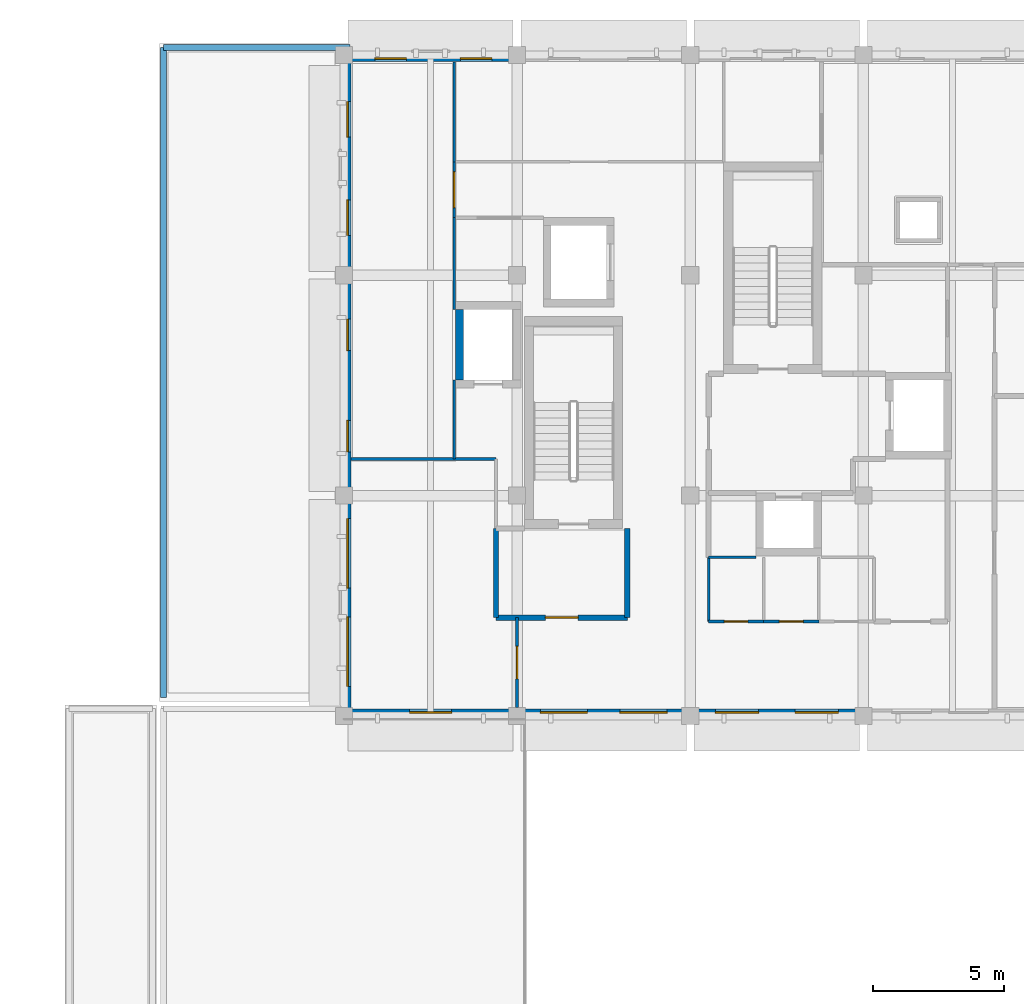
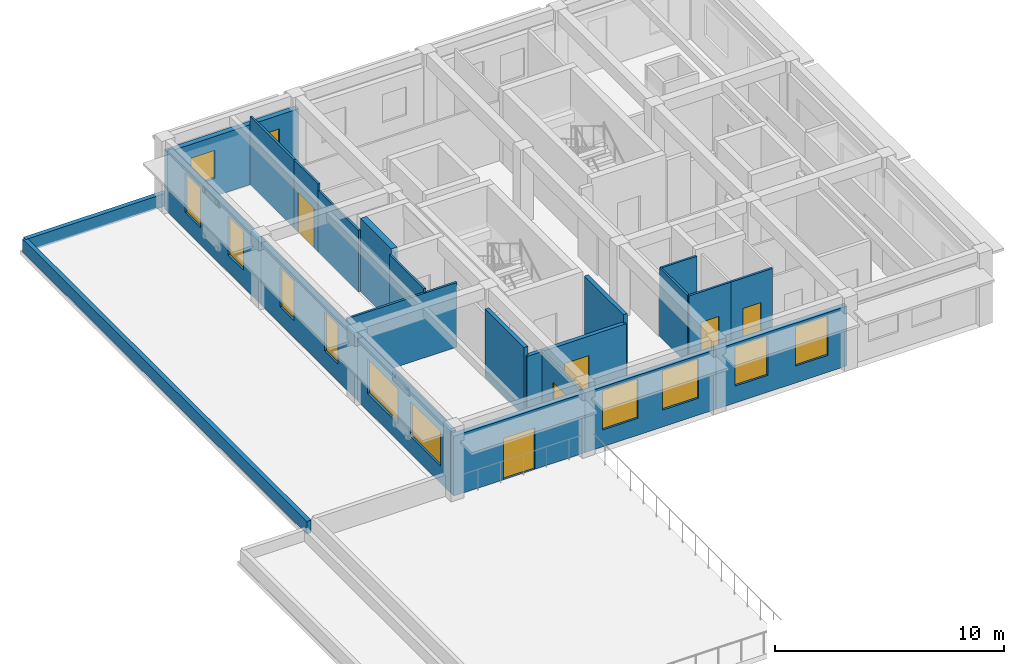
# One storey, part 2 of 7: 23 walls, 12 windows, 6 doors, 18 openings.
"""IFC4 building model written with IfcOpenShell, lengths in metres."""

import ifcopenshell
import ifcopenshell.guid

model = None  # the IFC model being written
_history = None  # IfcOwnerHistory: only IFC2X3 demands one
_inside = {}  # id of a spatial element -> (the spatial element, [elements in it])
_under = {}  # id of a project, library or spatial element -> (it, [spatial elements below it])
_declared = {}  # id of a project -> (the project, [libraries it declares])
_typed = {}  # id of a type object -> (the type object, [elements of that type])
_made_of = {}  # id of a material, layer set ... -> (it, [elements and type objects made of it])


def new_model(schema):
    """Start an empty IFC model of exactly this schema.

    Asked for "IFC4X3", IfcOpenShell would pick the latest addendum, in which some entities
    have other attributes; the version numbers below select the first issue.
    IFC2X3 requires an IfcOwnerHistory on every rooted entity: one is made here for all.
    """
    global model, _history
    if schema == "IFC4X3":
        model = ifcopenshell.file(schema_version=(4, 3, 0, 0))
    else:
        model = ifcopenshell.file(schema=schema)
    _inside.clear()
    _under.clear()
    _declared.clear()
    _typed.clear()
    _made_of.clear()
    _history = None
    if model.schema == "IFC2X3":
        org = make("IfcOrganization", Name="unknown")
        user = make(
            "IfcPersonAndOrganization",
            ThePerson=make("IfcPerson", FamilyName="unknown"),
            TheOrganization=org,
        )
        app = make(
            "IfcApplication",
            ApplicationDeveloper=org,
            Version="unknown",
            ApplicationFullName="unknown",
            ApplicationIdentifier="unknown",
        )
        _history = make(
            "IfcOwnerHistory",
            OwningUser=user,
            OwningApplication=app,
            ChangeAction="ADDED",
            CreationDate=0,
        )
    return model


def make(cls, **values):
    """One entity of the class cls with the attributes given. An attribute that is None is left unset."""
    return model.create_entity(
        cls, **{name: value for name, value in values.items() if value is not None}
    )


def rooted(cls, **values):
    """An entity with a GlobalId (a new one), such as an element, a storey or a relation."""
    return make(cls, GlobalId=ifcopenshell.guid.new(), OwnerHistory=_history, **values)


def si_unit(unit_type, name, prefix=None):
    """IfcSIUnit, for example si_unit("LENGTHUNIT", "METRE", prefix="MILLI")."""
    return make("IfcSIUnit", UnitType=unit_type, Prefix=prefix, Name=name)


def assignment(units):
    """IfcUnitAssignment: the units of a project."""
    return None if units is None else make("IfcUnitAssignment", Units=units)


def point(xyz):
    """IfcCartesianPoint."""
    return None if xyz is None else make("IfcCartesianPoint", Coordinates=xyz)


def direction(xyz):
    """IfcDirection."""
    return None if xyz is None else make("IfcDirection", DirectionRatios=xyz)


def frame(location, z_axis=None, x_axis=None):
    """IfcAxis2Placement3D, a coordinate frame: its origin and axes. An axis left out is left unset."""
    return make(
        "IfcAxis2Placement3D",
        Location=point(location),
        Axis=direction(z_axis),
        RefDirection=direction(x_axis),
    )


def frame_2d(location, x_axis=None):
    """IfcAxis2Placement2D, a coordinate frame in the plane: its origin and x axis."""
    return make(
        "IfcAxis2Placement2D", Location=point(location), RefDirection=direction(x_axis)
    )


def origin():
    """The frame at (0, 0, 0) with its axes left unset."""
    return frame((0.0, 0.0, 0.0))


def place(relative_to, where):
    """IfcLocalPlacement: puts the frame where relative to a parent placement (None: the world)."""
    return make(
        "IfcLocalPlacement", PlacementRelTo=relative_to, RelativePlacement=where
    )


def context(
    kind, dimensions, precision=None, world=None, true_north=None, identifier=None
):
    """IfcGeometricRepresentationContext, for example the 3D "Model" context."""
    return make(
        "IfcGeometricRepresentationContext",
        ContextIdentifier=identifier,
        ContextType=kind,
        CoordinateSpaceDimension=dimensions,
        Precision=precision,
        WorldCoordinateSystem=world,
        TrueNorth=true_north,
    )


def subcontext(parent, identifier, kind, view, scale=None):
    """IfcGeometricRepresentationSubContext, for example "Body" below "Model"."""
    return make(
        "IfcGeometricRepresentationSubContext",
        ContextIdentifier=identifier,
        ContextType=kind,
        ParentContext=parent,
        TargetScale=scale,
        TargetView=view,
    )


def project(units=None, contexts=None):
    """IfcProject with its units and contexts."""
    return rooted(
        "IfcProject",
        Name="project",
        RepresentationContexts=contexts,
        UnitsInContext=assignment(units),
    )


def spatial(cls, under=None, at=None, **own):
    """A site, building, storey or space (cls), placed at a placement, below another one or the project."""
    s = rooted(cls, ObjectPlacement=at, **own)
    if under is not None:
        _under.setdefault(under.id(), (under, []))[1].append(s)
    return s


def profile(cls, at=None, kind="AREA", **sizes):
    """A parametric profile (cls). Its sizes go by their IFC names, for example OverallWidth=200.0."""
    return make(cls, ProfileType=kind, Position=at, **sizes)


def rectangle(**sizes):
    """IfcRectangleProfileDef."""
    return profile("IfcRectangleProfileDef", **sizes)


def extrude(swept, where, along, depth):
    """IfcExtrudedAreaSolid: the profile swept, set in the frame where, extruded along a direction by depth."""
    return make(
        "IfcExtrudedAreaSolid",
        SweptArea=swept,
        Position=where,
        ExtrudedDirection=direction(along),
        Depth=depth,
    )


def shape(context_of_items, identifier, shape_type, items):
    """IfcShapeRepresentation: the items that make up one representation, for example the "Body"."""
    return make(
        "IfcShapeRepresentation",
        ContextOfItems=context_of_items,
        RepresentationIdentifier=identifier,
        RepresentationType=shape_type,
        Items=items,
    )


def material(Name=None, Category=None):
    """IfcMaterial."""
    return make("IfcMaterial", Name=Name, Category=Category)


def layer(
    of_material, thickness, ventilated=None, Name=None, Category=None, Priority=None
):
    """IfcMaterialLayer: one layer of a wall or slab, of a material (None: an air gap)."""
    return make(
        "IfcMaterialLayer",
        Material=of_material,
        LayerThickness=thickness,
        IsVentilated=ventilated,
        Name=Name,
        Category=Category,
        Priority=Priority,
    )


def layer_set(layers, Name=None):
    """IfcMaterialLayerSet."""
    return make("IfcMaterialLayerSet", MaterialLayers=layers, LayerSetName=Name)


def made_of(thing, what):
    """Note that an element or type object is made of a material, layer set ...; save() writes the relation."""
    if what is not None:
        _made_of.setdefault(what.id(), (what, []))[1].append(thing)
    return thing


def type_object(cls, material=None, **own):
    """A type object (cls), such as IfcWallType, which elements share."""
    return made_of(rooted(cls, **own), material)


def element(
    cls,
    number,
    at=None,
    inside=None,
    cuts=None,
    type_object=None,
    material=None,
    context=None,
    identifier="Body",
    shape_type=None,
    held_by="IfcProductDefinitionShape",
    body=None,
    shapes=None,
    **own,
):
    """One element of the class cls, such as IfcWall. Its Tag is "e" and its number.

    at: its placement. inside: the storey or other place that contains it. cuts: it is an
    opening in that element (IfcRelVoidsElement). A single representation is given by context,
    identifier, shape_type and body (its items); several are given by shapes. held_by: the class
    of the entity that holds the representations. save() writes the other relations.
    """
    e = rooted(cls, Tag="e%d" % number, ObjectPlacement=at, **own)
    if body is not None:
        shapes = [shape(context, identifier, shape_type, body)]
    if shapes is not None:
        e.Representation = make(held_by, Representations=shapes)
    if inside is not None:
        _inside.setdefault(inside.id(), (inside, []))[1].append(e)
    if cuts is not None:
        rooted(
            "IfcRelVoidsElement", RelatingBuildingElement=cuts, RelatedOpeningElement=e
        )
    if type_object is not None:
        _typed.setdefault(type_object.id(), (type_object, []))[1].append(e)
    return made_of(e, material)


def fill(opening, filler):
    """IfcRelFillsElement: the door or window that sits in an opening."""
    return rooted(
        "IfcRelFillsElement",
        RelatingOpeningElement=opening,
        RelatedBuildingElement=filler,
    )


def aggregate(whole, parts):
    """IfcRelAggregates: a whole, such as a stair, and the parts it consists of."""
    return rooted("IfcRelAggregates", RelatingObject=whole, RelatedObjects=parts)


def save(model, path):
    """Write the relations noted so far, then the file.

    IfcRelAggregates (storeys below a building ...), IfcRelContainedInSpatialStructure (elements
    in a storey), IfcRelDefinesByType, IfcRelAssociatesMaterial and IfcRelDeclares: one each for
    every whole, place, type object, material and project.
    """
    for whole, parts in _under.values():
        aggregate(whole, parts)
    for where, things in _inside.values():
        rooted(
            "IfcRelContainedInSpatialStructure",
            RelatedElements=things,
            RelatingStructure=where,
        )
    for kind, things in _typed.values():
        rooted("IfcRelDefinesByType", RelatedObjects=things, RelatingType=kind)
    for what, things in _made_of.values():
        rooted("IfcRelAssociatesMaterial", RelatedObjects=things, RelatingMaterial=what)
    for by, libraries in _declared.values():
        rooted("IfcRelDeclares", RelatingContext=by, RelatedDefinitions=libraries)
    model.write(path)


model = new_model("IFC4")

# Units and contexts
model_context = context("Model", 3, precision=1e-05, world=origin(), true_north=direction((0.0, 1.0)))
body_context = subcontext(model_context, "Body", "Model", "MODEL_VIEW")
ifc_project = project(units=[si_unit("LENGTHUNIT", "METRE"), si_unit("AREAUNIT", "SQUARE_METRE"), si_unit("VOLUMEUNIT", "CUBIC_METRE"), si_unit("PLANEANGLEUNIT", "RADIAN"), si_unit("MASSUNIT", "GRAM", prefix="KILO")], contexts=[model_context])

# Site, building, storey
site_placement = place(None, origin())
site = spatial("IfcSite", under=ifc_project, at=site_placement, CompositionType="ELEMENT")
building_placement = place(site_placement, origin())
building = spatial("IfcBuilding", under=site, at=building_placement, Name="Kolvaren Faculty of Natural Sciences", CompositionType="ELEMENT")
storey_placement = place(building_placement, frame((0.0, 0.0, 32.699951171875)))
storey = spatial("IfcBuildingStorey", under=building, at=storey_placement, Name="L07", CompositionType="ELEMENT", Elevation=32.699951171875)

# Wall, openings, windows
ifc_material_1 = material(Name="Precast concrete C35/45", Category="concrete")
ifc_layer_1 = layer(ifc_material_1, 0.260009765625)
ifc_layer_set_1 = layer_set([ifc_layer_1], Name="Precast concrete C35/45")
wall_type_1 = type_object("IfcWallType", Name="ExteriorPrecastWall_260", PredefinedType="STANDARD", material=ifc_layer_set_1)
wall_1_placement = place(storey_placement, frame((145.39990234375, 84.070068359375, 0.0), z_axis=(0.0, 0.0, 1.0), x_axis=(1.0, 0.0, 0.0)))
wall_1 = element("IfcWall", 1, at=wall_1_placement, inside=storey, type_object=wall_type_1, Name="L07 exterior masonry wall EW-260 (715)", PredefinedType="STANDARD", context=body_context, shape_type="SweptSolid", body=[
    extrude(rectangle(XDim=6.60009765625, YDim=0.260009765625, at=frame_2d((3.300048828125, 0.0))), origin(), (0.0, 0.0, 1.0), 3.18505859375),
])
opening_1_placement = place(wall_1_placement, frame((1.181884765625, 0.0, 0.949951171875)))
opening_1 = element("IfcOpeningElement", 2, at=opening_1_placement, cuts=wall_1, Name="Opening WIN-13", PredefinedType="OPENING", context=body_context, shape_type="SweptSolid", body=[
    extrude(rectangle(XDim=1.199951171875, YDim=1.5, at=frame_2d((0.60009765625, 0.75))), frame((0.0, 0.139892578125, 0.0), z_axis=(0.0, -1.0, 0.0), x_axis=(1.0, 0.0, 0.0)), (0.0, 0.0, 1.0), 0.280029296875),
])
opening_2_placement = place(wall_1_placement, frame((4.43994140625, 0.0, 0.949951171875)))
opening_2 = element("IfcOpeningElement", 3, at=opening_2_placement, cuts=wall_1, Name="Opening WIN-13", PredefinedType="OPENING", context=body_context, shape_type="SweptSolid", body=[
    extrude(rectangle(XDim=1.199951171875, YDim=1.5, at=frame_2d((0.60009765625, 0.75))), frame((0.0, 0.139892578125, 0.0), z_axis=(0.0, -1.0, 0.0), x_axis=(1.0, 0.0, 0.0)), (0.0, 0.0, 1.0), 0.280029296875),
])
ifc_material_2 = material(Name="Double low-E solar control insulated glazing", Category="glass")
window_type_1 = type_object("IfcWindowType", Name="AluWindow_WIN13_1200x1500", PartitioningType="SINGLE_PANEL", PredefinedType="WINDOW", material=ifc_material_2)
window_1_placement = place(opening_1_placement, origin())
window_1 = element("IfcWindow", 4, at=window_1_placement, inside=storey, type_object=window_type_1, Name="WIN-L07-0563", OverallHeight=1.5, OverallWidth=1.199951171875, PartitioningType="SINGLE_PANEL", PredefinedType="WINDOW", context=body_context, shape_type="SweptSolid", body=[
    extrude(rectangle(XDim=1.199951171875, YDim=1.5, at=frame_2d((0.60009765625, 0.75))), frame((0.0, 0.030029296875, 0.0), z_axis=(0.0, -1.0, 0.0), x_axis=(1.0, 0.0, 0.0)), (0.0, 0.0, 1.0), 0.06005859375),
])
fill(opening_1, window_1)
window_2_placement = place(opening_2_placement, origin())
window_2 = element("IfcWindow", 5, at=window_2_placement, inside=storey, type_object=window_type_1, Name="WIN-L07-0564", OverallHeight=1.5, OverallWidth=1.199951171875, PartitioningType="SINGLE_PANEL", PredefinedType="WINDOW", context=body_context, shape_type="SweptSolid", body=[
    extrude(rectangle(XDim=1.199951171875, YDim=1.5, at=frame_2d((0.60009765625, 0.75))), frame((0.0, 0.030029296875, 0.0), z_axis=(0.0, -1.0, 0.0), x_axis=(1.0, 0.0, 0.0)), (0.0, 0.0, 1.0), 0.06005859375),
])
fill(opening_2, window_2)

wall_2_placement = place(storey_placement, frame((145.530029296875, 59.260009765625, 0.0), z_axis=(0.0, 0.0, 1.0), x_axis=(0.0, 1.0, 0.0)))
wall_2 = element("IfcWall", 6, at=wall_2_placement, inside=storey, type_object=wall_type_1, Name="L07 exterior masonry wall EW-260 (719)", PredefinedType="STANDARD", context=body_context, shape_type="SweptSolid", body=[
    extrude(rectangle(XDim=8.139892578125, YDim=0.260009765625, at=frame_2d((4.06982421875, 0.0))), origin(), (0.0, 0.0, 1.0), 3.28515625),
])
opening_3_placement = place(wall_2_placement, frame((0.872802734375, 0.0, 0.89990234375)))
opening_3 = element("IfcOpeningElement", 7, at=opening_3_placement, cuts=wall_2, Name="Opening WIN-24", PredefinedType="OPENING", context=body_context, shape_type="SweptSolid", body=[
    extrude(rectangle(XDim=2.64990234375, YDim=1.85009765625, at=frame_2d((1.324951171875, 0.925048828125))), frame((0.0, 0.139892578125, 0.0), z_axis=(0.0, -1.0, 0.0), x_axis=(1.0, 0.0, 0.0)), (0.0, 0.0, 1.0), 0.280029296875),
])
opening_4_placement = place(wall_2_placement, frame((4.6171875, 0.0, 0.89990234375)))
opening_4 = element("IfcOpeningElement", 8, at=opening_4_placement, cuts=wall_2, Name="Opening WIN-24", PredefinedType="OPENING", context=body_context, shape_type="SweptSolid", body=[
    extrude(rectangle(XDim=2.64990234375, YDim=1.85009765625, at=frame_2d((1.324951171875, 0.925048828125))), frame((0.0, 0.139892578125, 0.0), z_axis=(0.0, -1.0, 0.0), x_axis=(1.0, 0.0, 0.0)), (0.0, 0.0, 1.0), 0.280029296875),
])
window_type_2 = type_object("IfcWindowType", Name="AluWindow_WIN24_2650x1850", PartitioningType="SINGLE_PANEL", PredefinedType="WINDOW", material=ifc_material_2)
window_3_placement = place(opening_3_placement, origin())
window_3 = element("IfcWindow", 9, at=window_3_placement, inside=storey, type_object=window_type_2, Name="WIN-L07-0571", OverallHeight=1.85009765625, OverallWidth=2.64990234375, PartitioningType="SINGLE_PANEL", PredefinedType="WINDOW", context=body_context, shape_type="SweptSolid", body=[
    extrude(rectangle(XDim=2.64990234375, YDim=1.85009765625, at=frame_2d((1.324951171875, 0.925048828125))), frame((0.0, 0.030029296875, 0.0), z_axis=(0.0, -1.0, 0.0), x_axis=(1.0, 0.0, 0.0)), (0.0, 0.0, 1.0), 0.06005859375),
])
fill(opening_3, window_3)
window_4_placement = place(opening_4_placement, origin())
window_4 = element("IfcWindow", 10, at=window_4_placement, inside=storey, type_object=window_type_2, Name="WIN-L07-0572", OverallHeight=1.85009765625, OverallWidth=2.64990234375, PartitioningType="SINGLE_PANEL", PredefinedType="WINDOW", context=body_context, shape_type="SweptSolid", body=[
    extrude(rectangle(XDim=2.64990234375, YDim=1.85009765625, at=frame_2d((1.324951171875, 0.925048828125))), frame((0.0, 0.030029296875, 0.0), z_axis=(0.0, -1.0, 0.0), x_axis=(1.0, 0.0, 0.0)), (0.0, 0.0, 1.0), 0.06005859375),
])
fill(opening_4, window_4)

wall_3_placement = place(storey_placement, frame((145.530029296875, 67.39990234375, 0.0), z_axis=(0.0, 0.0, 1.0), x_axis=(0.0, 1.0, 0.0)))
wall_3 = element("IfcWall", 11, at=wall_3_placement, inside=storey, type_object=wall_type_1, Name="L07 exterior masonry wall EW-260 (720)", PredefinedType="STANDARD", context=body_context, shape_type="SweptSolid", body=[
    extrude(rectangle(XDim=8.400146484375, YDim=0.260009765625, at=frame_2d((4.2001953125, 0.0))), origin(), (0.0, 0.0, 1.0), 3.28515625),
])
opening_5_placement = place(wall_3_placement, frame((1.66796875, 0.0, 0.89990234375)))
opening_5 = element("IfcOpeningElement", 12, at=opening_5_placement, cuts=wall_3, Name="Opening WIN-01", PredefinedType="OPENING", context=body_context, shape_type="SweptSolid", body=[
    extrude(rectangle(XDim=1.199951171875, YDim=2.10009765625, at=frame_2d((0.60009765625, 1.050048828125))), frame((0.0, 0.139892578125, 0.0), z_axis=(0.0, -1.0, 0.0), x_axis=(1.0, 0.0, 0.0)), (0.0, 0.0, 1.0), 0.280029296875),
])
opening_6_placement = place(wall_3_placement, frame((5.531982421875, 0.0, 0.89990234375)))
opening_6 = element("IfcOpeningElement", 13, at=opening_6_placement, cuts=wall_3, Name="Opening WIN-01", PredefinedType="OPENING", context=body_context, shape_type="SweptSolid", body=[
    extrude(rectangle(XDim=1.199951171875, YDim=2.10009765625, at=frame_2d((0.60009765625, 1.050048828125))), frame((0.0, 0.139892578125, 0.0), z_axis=(0.0, -1.0, 0.0), x_axis=(1.0, 0.0, 0.0)), (0.0, 0.0, 1.0), 0.280029296875),
])
window_type_3 = type_object("IfcWindowType", Name="AluWindow_WIN01_1200x2100", PartitioningType="SINGLE_PANEL", PredefinedType="WINDOW", material=ifc_material_2)
window_5_placement = place(opening_5_placement, origin())
window_5 = element("IfcWindow", 14, at=window_5_placement, inside=storey, type_object=window_type_3, Name="WIN-L07-0573", OverallHeight=2.10009765625, OverallWidth=1.199951171875, PartitioningType="SINGLE_PANEL", PredefinedType="WINDOW", context=body_context, shape_type="SweptSolid", body=[
    extrude(rectangle(XDim=1.199951171875, YDim=2.10009765625, at=frame_2d((0.60009765625, 1.050048828125))), frame((0.0, 0.030029296875, 0.0), z_axis=(0.0, -1.0, 0.0), x_axis=(1.0, 0.0, 0.0)), (0.0, 0.0, 1.0), 0.06005859375),
])
fill(opening_5, window_5)
window_6_placement = place(opening_6_placement, origin())
window_6 = element("IfcWindow", 15, at=window_6_placement, inside=storey, type_object=window_type_3, Name="WIN-L07-0574", OverallHeight=2.10009765625, OverallWidth=1.199951171875, PartitioningType="SINGLE_PANEL", PredefinedType="WINDOW", context=body_context, shape_type="SweptSolid", body=[
    extrude(rectangle(XDim=1.199951171875, YDim=2.10009765625, at=frame_2d((0.60009765625, 1.050048828125))), frame((0.0, 0.030029296875, 0.0), z_axis=(0.0, -1.0, 0.0), x_axis=(1.0, 0.0, 0.0)), (0.0, 0.0, 1.0), 0.06005859375),
])
fill(opening_6, window_6)

wall_4_placement = place(storey_placement, frame((145.530029296875, 75.800048828125, 0.0), z_axis=(0.0, 0.0, 1.0), x_axis=(0.0, 1.0, 0.0)))
wall_4 = element("IfcWall", 16, at=wall_4_placement, inside=storey, type_object=wall_type_1, Name="L07 exterior masonry wall EW-260 (721)", PredefinedType="STANDARD", context=body_context, shape_type="SweptSolid", body=[
    extrude(rectangle(XDim=8.139892578125, YDim=0.260009765625, at=frame_2d((4.06982421875, 0.0))), origin(), (0.0, 0.0, 1.0), 3.28515625),
])
opening_7_placement = place(wall_4_placement, frame((1.522705078125, 0.0, 0.89990234375)))
opening_7 = element("IfcOpeningElement", 17, at=opening_7_placement, cuts=wall_4, Name="Opening WIN-02", PredefinedType="OPENING", context=body_context, shape_type="SweptSolid", body=[
    extrude(rectangle(XDim=1.35009765625, YDim=2.10009765625, at=frame_2d((0.675048828125, 1.050048828125))), frame((0.0, 0.139892578125, 0.0), z_axis=(0.0, -1.0, 0.0), x_axis=(1.0, 0.0, 0.0)), (0.0, 0.0, 1.0), 0.280029296875),
])
opening_8_placement = place(wall_4_placement, frame((5.26708984375, 0.0, 0.89990234375)))
opening_8 = element("IfcOpeningElement", 18, at=opening_8_placement, cuts=wall_4, Name="Opening WIN-02", PredefinedType="OPENING", context=body_context, shape_type="SweptSolid", body=[
    extrude(rectangle(XDim=1.35009765625, YDim=2.10009765625, at=frame_2d((0.675048828125, 1.050048828125))), frame((0.0, 0.139892578125, 0.0), z_axis=(0.0, -1.0, 0.0), x_axis=(1.0, 0.0, 0.0)), (0.0, 0.0, 1.0), 0.280029296875),
])
window_type_4 = type_object("IfcWindowType", Name="AluWindow_WIN02_1350x2100", PartitioningType="SINGLE_PANEL", PredefinedType="WINDOW", material=ifc_material_2)
window_7_placement = place(opening_7_placement, origin())
window_7 = element("IfcWindow", 19, at=window_7_placement, inside=storey, type_object=window_type_4, Name="WIN-L07-0575", OverallHeight=2.10009765625, OverallWidth=1.35009765625, PartitioningType="SINGLE_PANEL", PredefinedType="WINDOW", context=body_context, shape_type="SweptSolid", body=[
    extrude(rectangle(XDim=1.35009765625, YDim=2.10009765625, at=frame_2d((0.675048828125, 1.050048828125))), frame((0.0, 0.030029296875, 0.0), z_axis=(0.0, -1.0, 0.0), x_axis=(1.0, 0.0, 0.0)), (0.0, 0.0, 1.0), 0.06005859375),
])
fill(opening_7, window_7)
window_8_placement = place(opening_8_placement, origin())
window_8 = element("IfcWindow", 20, at=window_8_placement, inside=storey, type_object=window_type_4, Name="WIN-L07-0576", OverallHeight=2.10009765625, OverallWidth=1.35009765625, PartitioningType="SINGLE_PANEL", PredefinedType="WINDOW", context=body_context, shape_type="SweptSolid", body=[
    extrude(rectangle(XDim=1.35009765625, YDim=2.10009765625, at=frame_2d((0.675048828125, 1.050048828125))), frame((0.0, 0.030029296875, 0.0), z_axis=(0.0, -1.0, 0.0), x_axis=(1.0, 0.0, 0.0)), (0.0, 0.0, 1.0), 0.06005859375),
])
fill(opening_8, window_8)

wall_5_placement = place(storey_placement, frame((165.199951171875, 59.1298828125, 0.0), z_axis=(0.0, 0.0, 1.0), x_axis=(-1.0, 0.0, 0.0)))
wall_5 = element("IfcWall", 21, at=wall_5_placement, inside=storey, type_object=wall_type_1, Name="L07 exterior masonry wall EW-260 (723)", PredefinedType="STANDARD", context=body_context, shape_type="SweptSolid", body=[
    extrude(rectangle(XDim=6.599853515625, YDim=0.260009765625, at=frame_2d((3.2998046875, 0.0))), origin(), (0.0, 0.0, 1.0), 3.18505859375),
])
opening_9_placement = place(wall_5_placement, frame((0.95703125, 0.0, 0.89990234375)))
opening_9 = element("IfcOpeningElement", 22, at=opening_9_placement, cuts=wall_5, Name="Opening WIN-04", PredefinedType="OPENING", context=body_context, shape_type="SweptSolid", body=[
    extrude(rectangle(XDim=1.64990234375, YDim=2.10009765625, at=frame_2d((0.824951171875, 1.050048828125))), frame((0.0, 0.139892578125, 0.0), z_axis=(0.0, -1.0, 0.0), x_axis=(1.0, 0.0, 0.0)), (0.0, 0.0, 1.0), 0.280029296875),
])
opening_10_placement = place(wall_5_placement, frame((3.992919921875, 0.0, 0.89990234375)))
opening_10 = element("IfcOpeningElement", 23, at=opening_10_placement, cuts=wall_5, Name="Opening WIN-04", PredefinedType="OPENING", context=body_context, shape_type="SweptSolid", body=[
    extrude(rectangle(XDim=1.64990234375, YDim=2.10009765625, at=frame_2d((0.824951171875, 1.050048828125))), frame((0.0, 0.139892578125, 0.0), z_axis=(0.0, -1.0, 0.0), x_axis=(1.0, 0.0, 0.0)), (0.0, 0.0, 1.0), 0.280029296875),
])
window_type_5 = type_object("IfcWindowType", Name="AluWindow_WIN04_1650x2100", PartitioningType="SINGLE_PANEL", PredefinedType="WINDOW", material=ifc_material_2)
window_9_placement = place(opening_9_placement, origin())
window_9 = element("IfcWindow", 24, at=window_9_placement, inside=storey, type_object=window_type_5, Name="WIN-L07-0579", OverallHeight=2.10009765625, OverallWidth=1.64990234375, PartitioningType="SINGLE_PANEL", PredefinedType="WINDOW", context=body_context, shape_type="SweptSolid", body=[
    extrude(rectangle(XDim=1.64990234375, YDim=2.10009765625, at=frame_2d((0.824951171875, 1.050048828125))), frame((0.0, 0.030029296875, 0.0), z_axis=(0.0, -1.0, 0.0), x_axis=(1.0, 0.0, 0.0)), (0.0, 0.0, 1.0), 0.06005859375),
])
fill(opening_9, window_9)
window_10_placement = place(opening_10_placement, origin())
window_10 = element("IfcWindow", 25, at=window_10_placement, inside=storey, type_object=window_type_5, Name="WIN-L07-0580", OverallHeight=2.10009765625, OverallWidth=1.64990234375, PartitioningType="SINGLE_PANEL", PredefinedType="WINDOW", context=body_context, shape_type="SweptSolid", body=[
    extrude(rectangle(XDim=1.64990234375, YDim=2.10009765625, at=frame_2d((0.824951171875, 1.050048828125))), frame((0.0, 0.030029296875, 0.0), z_axis=(0.0, -1.0, 0.0), x_axis=(1.0, 0.0, 0.0)), (0.0, 0.0, 1.0), 0.06005859375),
])
fill(opening_10, window_10)

wall_6_placement = place(storey_placement, frame((158.60009765625, 59.1298828125, 0.0), z_axis=(0.0, 0.0, 1.0), x_axis=(-1.0, 0.0, 0.0)))
wall_6 = element("IfcWall", 26, at=wall_6_placement, inside=storey, type_object=wall_type_1, Name="L07 exterior masonry wall EW-260 (724)", PredefinedType="STANDARD", context=body_context, shape_type="SweptSolid", body=[
    extrude(rectangle(XDim=6.60009765625, YDim=0.260009765625, at=frame_2d((3.300048828125, 0.0))), origin(), (0.0, 0.0, 1.0), 3.18505859375),
])
opening_11_placement = place(wall_6_placement, frame((0.882080078125, 0.0, 0.89990234375)))
opening_11 = element("IfcOpeningElement", 27, at=opening_11_placement, cuts=wall_6, Name="Opening WIN-05", PredefinedType="OPENING", context=body_context, shape_type="SweptSolid", body=[
    extrude(rectangle(XDim=1.800048828125, YDim=2.10009765625, at=frame_2d((0.89990234375, 1.050048828125))), frame((0.0, 0.139892578125, 0.0), z_axis=(0.0, -1.0, 0.0), x_axis=(1.0, 0.0, 0.0)), (0.0, 0.0, 1.0), 0.280029296875),
])
opening_12_placement = place(wall_6_placement, frame((3.91796875, 0.0, 0.89990234375)))
opening_12 = element("IfcOpeningElement", 28, at=opening_12_placement, cuts=wall_6, Name="Opening WIN-05", PredefinedType="OPENING", context=body_context, shape_type="SweptSolid", body=[
    extrude(rectangle(XDim=1.800048828125, YDim=2.10009765625, at=frame_2d((0.89990234375, 1.050048828125))), frame((0.0, 0.139892578125, 0.0), z_axis=(0.0, -1.0, 0.0), x_axis=(1.0, 0.0, 0.0)), (0.0, 0.0, 1.0), 0.280029296875),
])
window_type_6 = type_object("IfcWindowType", Name="AluWindow_WIN05_1800x2100", PartitioningType="SINGLE_PANEL", PredefinedType="WINDOW", material=ifc_material_2)
window_11_placement = place(opening_11_placement, origin())
window_11 = element("IfcWindow", 29, at=window_11_placement, inside=storey, type_object=window_type_6, Name="WIN-L07-0581", OverallHeight=2.10009765625, OverallWidth=1.800048828125, PartitioningType="SINGLE_PANEL", PredefinedType="WINDOW", context=body_context, shape_type="SweptSolid", body=[
    extrude(rectangle(XDim=1.800048828125, YDim=2.10009765625, at=frame_2d((0.89990234375, 1.050048828125))), frame((0.0, 0.030029296875, 0.0), z_axis=(0.0, -1.0, 0.0), x_axis=(1.0, 0.0, 0.0)), (0.0, 0.0, 1.0), 0.06005859375),
])
fill(opening_11, window_11)
window_12_placement = place(opening_12_placement, origin())
window_12 = element("IfcWindow", 30, at=window_12_placement, inside=storey, type_object=window_type_6, Name="WIN-L07-0582", OverallHeight=2.10009765625, OverallWidth=1.800048828125, PartitioningType="SINGLE_PANEL", PredefinedType="WINDOW", context=body_context, shape_type="SweptSolid", body=[
    extrude(rectangle(XDim=1.800048828125, YDim=2.10009765625, at=frame_2d((0.89990234375, 1.050048828125))), frame((0.0, 0.030029296875, 0.0), z_axis=(0.0, -1.0, 0.0), x_axis=(1.0, 0.0, 0.0)), (0.0, 0.0, 1.0), 0.06005859375),
])
fill(opening_12, window_12)

# Wall, opening, door
wall_7_placement = place(storey_placement, frame((152.0, 59.1298828125, 0.0), z_axis=(0.0, 0.0, 1.0), x_axis=(-1.0, 0.0, 0.0)))
wall_7 = element("IfcWall", 31, at=wall_7_placement, inside=storey, type_object=wall_type_1, Name="L07 exterior masonry wall EW-260 (725)", PredefinedType="STANDARD", context=body_context, shape_type="SweptSolid", body=[
    extrude(rectangle(XDim=6.60009765625, YDim=0.260009765625, at=frame_2d((3.300048828125, 0.0))), origin(), (0.0, 0.0, 1.0), 3.18505859375),
])
opening_13_placement = place(wall_7_placement, frame((2.5, 0.0, 0.0)))
opening_13 = element("IfcOpeningElement", 32, at=opening_13_placement, cuts=wall_7, Name="Opening TD-02", PredefinedType="OPENING", context=body_context, shape_type="SweptSolid", body=[
    extrude(rectangle(XDim=1.60009765625, YDim=2.199951171875, at=frame_2d((0.800048828125, 1.10009765625))), frame((0.0, 0.139892578125, 0.0), z_axis=(0.0, -1.0, 0.0), x_axis=(1.0, 0.0, 0.0)), (0.0, 0.0, 1.0), 0.280029296875),
])
ifc_material_3 = material(Name="Thermally broken anodised aluminium framing", Category="aluminium")
door_type_1 = type_object("IfcDoorType", Name="TerraceDoubleDoor_1600x2200", OperationType="DOUBLE_DOOR_SINGLE_SWING", PredefinedType="DOOR", material=ifc_material_3)
door_1_placement = place(opening_13_placement, origin())
door_1 = element("IfcDoor", 33, at=door_1_placement, inside=storey, type_object=door_type_1, Name="D-L07-TR-28", OperationType="DOUBLE_DOOR_SINGLE_SWING", OverallHeight=2.199951171875, OverallWidth=1.60009765625, PredefinedType="DOOR", context=body_context, shape_type="SweptSolid", body=[
    extrude(rectangle(XDim=1.60009765625, YDim=2.199951171875, at=frame_2d((0.800048828125, 1.10009765625))), frame((0.0, 0.02490234375, 0.0), z_axis=(0.0, -1.0, 0.0), x_axis=(1.0, 0.0, 0.0)), (0.0, 0.0, 1.0), 0.050048828125),
])
fill(opening_13, door_1)

# Wall
ifc_material_4 = material(Name="Autoclaved aerated fire-rated masonry blockwork", Category="masonry")
ifc_layer_2 = layer(ifc_material_4, 0.199951171875)
ifc_layer_set_2 = layer_set([ifc_layer_2], Name="Autoclaved aerated fire-rated masonry blockwork")
wall_type_2 = type_object("IfcWallType", Name="FireLobbyWall_200", PredefinedType="PARTITIONING", material=ifc_layer_set_2)
wall_8_placement = place(storey_placement, frame((156.199951171875, 66.14990234375, 0.0), z_axis=(0.0, 0.0, 1.0), x_axis=(0.0, -1.0, 0.0)))
element("IfcWall", 34, at=wall_8_placement, inside=storey, type_object=wall_type_2, Name="L07 interior partition FW-200", PredefinedType="PARTITIONING", context=body_context, shape_type="SweptSolid", body=[
    extrude(rectangle(XDim=3.39990234375, YDim=0.199951171875, at=frame_2d((1.699951171875, 0.0))), origin(), (0.0, 0.0, 1.0), 3.635009765625),
])

# Wall, opening, door
wall_9_placement = place(storey_placement, frame((156.199951171875, 62.75, 0.0), z_axis=(0.0, 0.0, 1.0), x_axis=(-1.0, 0.0, 0.0)))
wall_9 = element("IfcWall", 35, at=wall_9_placement, inside=storey, type_object=wall_type_2, Name="L07 interior partition FW-200", PredefinedType="PARTITIONING", context=body_context, shape_type="SweptSolid", body=[
    extrude(rectangle(XDim=5.0, YDim=0.199951171875, at=frame_2d((2.5, 0.0))), origin(), (0.0, 0.0, 1.0), 3.18505859375),
])
opening_14_placement = place(wall_9_placement, frame((1.875, 0.0, 0.0)))
opening_14 = element("IfcOpeningElement", 36, at=opening_14_placement, cuts=wall_9, Name="Opening FD60", PredefinedType="OPENING", context=body_context, shape_type="SweptSolid", body=[
    extrude(rectangle(XDim=1.25, YDim=2.14990234375, at=frame_2d((0.625, 1.074951171875))), frame((0.0, 0.10986328125, 0.0), z_axis=(0.0, -1.0, 0.0), x_axis=(1.0, 0.0, 0.0)), (0.0, 0.0, 1.0), 0.219970703125),
])
ifc_material_5 = material(Name="Fire-rated solid-core hardwood door leaf in steel frame", Category="steel")
door_type_2 = type_object("IfcDoorType", Name="RescueLobbyFireDoor_1250x2150", OperationType="NOTDEFINED", PredefinedType="DOOR", material=ifc_material_5)
door_2_placement = place(opening_14_placement, origin())
door_2 = element("IfcDoor", 37, at=door_2_placement, inside=storey, type_object=door_type_2, Name="D-L07-0351", OperationType="SINGLE_SWING_LEFT", OverallHeight=2.14990234375, OverallWidth=1.25, PredefinedType="DOOR", context=body_context, shape_type="SweptSolid", body=[
    extrude(rectangle(XDim=1.25, YDim=2.14990234375, at=frame_2d((0.625, 1.074951171875))), frame((0.0, 0.02490234375, 0.0), z_axis=(0.0, -1.0, 0.0), x_axis=(1.0, 0.0, 0.0)), (0.0, 0.0, 1.0), 0.050048828125),
])
fill(opening_14, door_2)

# Walls
wall_10_placement = place(storey_placement, frame((151.199951171875, 62.75, 0.0), z_axis=(0.0, 0.0, 1.0), x_axis=(0.0, 1.0, 0.0)))
element("IfcWall", 38, at=wall_10_placement, inside=storey, type_object=wall_type_2, Name="L07 interior partition FW-200", PredefinedType="PARTITIONING", context=body_context, shape_type="SweptSolid", body=[
    extrude(rectangle(XDim=3.39990234375, YDim=0.199951171875, at=frame_2d((1.699951171875, 0.0))), origin(), (0.0, 0.0, 1.0), 3.635009765625),
])
ifc_layer_3 = layer(ifc_material_1, 0.219970703125)
ifc_layer_set_3 = layer_set([ifc_layer_3], Name="Precast concrete C35/45")
wall_type_3 = type_object("IfcWallType", Name="ParapetUpstandWall_220", PredefinedType="PARAPET", material=ifc_layer_set_3)
wall_11_placement = place(storey_placement, frame((138.52001953125, 84.47998046875, 0.0), z_axis=(0.0, 0.0, 1.0), x_axis=(1.0, 0.0, 0.0)))
element("IfcWall", 39, at=wall_11_placement, inside=storey, type_object=wall_type_3, Name="L07 architectural sandstone roof parapet 74", PredefinedType="PARAPET", context=body_context, shape_type="SweptSolid", body=[
    extrude(rectangle(XDim=7.10986328125, YDim=0.219970703125, at=frame_2d((3.554931640625, 0.0))), origin(), (0.0, 0.0, 1.0), 0.679931640625),
])
wall_12_placement = place(storey_placement, frame((138.52001953125, 59.699951171875, 0.0), z_axis=(0.0, 0.0, 1.0), x_axis=(0.0, 1.0, 0.0)))
element("IfcWall", 40, at=wall_12_placement, inside=storey, type_object=wall_type_3, Name="L07 architectural sandstone roof parapet 75", PredefinedType="PARAPET", context=body_context, shape_type="SweptSolid", body=[
    extrude(rectangle(XDim=24.780029296875, YDim=0.219970703125, at=frame_2d((12.39013671875, 0.0))), origin(), (0.0, 0.0, 1.0), 0.679931640625),
])
ifc_material_6 = material(Name="Concrete C40/50", Category="concrete")
ifc_layer_4 = layer(ifc_material_6, 0.300048828125)
ifc_layer_set_4 = layer_set([ifc_layer_4], Name="Concrete C40/50")
wall_type_4 = type_object("IfcWallType", Name="ShaftShearWall_300", PredefinedType="SHEAR", material=ifc_layer_set_4)
wall_13_placement = place(storey_placement, frame((149.800048828125, 71.800048828125, 0.0), z_axis=(0.0, 0.0, 1.0), x_axis=(0.0, 1.0, 0.0)))
element("IfcWall", 41, at=wall_13_placement, inside=storey, type_object=wall_type_4, Name="L07 lift FL-2 shaft wall W", PredefinedType="SHEAR", context=body_context, shape_type="SweptSolid", body=[
    extrude(rectangle(XDim=2.699951171875, YDim=0.300048828125, at=frame_2d((1.35009765625, 0.0))), origin(), (0.0, 0.0, 1.0), 3.900146484375),
])
ifc_material_7 = material(Name="Acoustic mineral-wool insulated gypsum partition")
ifc_layer_5 = layer(ifc_material_7, 0.114990234375)
ifc_layer_set_5 = layer_set([ifc_layer_5], Name="Acoustic mineral-wool insulated gypsum partition")
wall_type_5 = type_object("IfcWallType", Name="StorePartitionWall_115", PredefinedType="PARTITIONING", material=ifc_layer_set_5)
wall_14_placement = place(storey_placement, frame((145.662109375, 68.800048828125, 0.0), z_axis=(0.0, 0.0, 1.0), x_axis=(1.0, 0.0, 0.0)))
element("IfcWall", 42, at=wall_14_placement, inside=storey, type_object=wall_type_5, Name="L07 interior partition PW-115", PredefinedType="PARTITIONING", context=body_context, shape_type="SweptSolid", body=[
    extrude(rectangle(XDim=5.537841796875, YDim=0.114990234375, at=frame_2d((2.76904296875, 0.0))), origin(), (0.0, 0.0, 1.0), 3.43505859375),
])

# Wall, opening, door
wall_15_placement = place(storey_placement, frame((152.0, 62.75, 0.0), z_axis=(0.0, 0.0, 1.0), x_axis=(0.0, -1.0, 0.0)))
wall_15 = element("IfcWall", 43, at=wall_15_placement, inside=storey, type_object=wall_type_5, Name="L07 interior partition PW-115", PredefinedType="PARTITIONING", context=body_context, shape_type="SweptSolid", body=[
    extrude(rectangle(XDim=3.425048828125, YDim=0.114990234375, at=frame_2d((1.71240234375, 0.0))), origin(), (0.0, 0.0, 1.0), 3.18505859375),
])
opening_15_placement = place(wall_15_placement, frame((1.092529296875, 0.0, 0.0)))
opening_15 = element("IfcOpeningElement", 44, at=opening_15_placement, cuts=wall_15, Name="Opening ID-25", PredefinedType="OPENING", context=body_context, shape_type="SweptSolid", body=[
    extrude(rectangle(XDim=1.239990234375, YDim=2.139892578125, at=frame_2d((0.6201171875, 1.06982421875))), frame((0.0, 0.0673828125, 0.0), z_axis=(0.0, -1.0, 0.0), x_axis=(1.0, 0.0, 0.0)), (0.0, 0.0, 1.0), 0.135009765625),
])
ifc_material_8 = material(Name="Solid-core hardwood veneer door leaf in steel frame", Category="steel")
door_type_3 = type_object("IfcDoorType", Name="InteriorRoomDoor_1240x2140", OperationType="NOTDEFINED", PredefinedType="DOOR", material=ifc_material_8)
door_3_placement = place(opening_15_placement, origin())
door_3 = element("IfcDoor", 45, at=door_3_placement, inside=storey, type_object=door_type_3, Name="D-L07-0355", OperationType="SINGLE_SWING_LEFT", OverallHeight=2.139892578125, OverallWidth=1.239990234375, PredefinedType="DOOR", context=body_context, shape_type="SweptSolid", body=[
    extrude(rectangle(XDim=1.239990234375, YDim=2.139892578125, at=frame_2d((0.6201171875, 1.06982421875))), frame((0.0, 0.02490234375, 0.0), z_axis=(0.0, -1.0, 0.0), x_axis=(1.0, 0.0, 0.0)), (0.0, 0.0, 1.0), 0.050048828125),
])
fill(opening_15, door_3)

# Wall
ifc_layer_6 = layer(ifc_material_7, 0.10498046875)
ifc_layer_set_6 = layer_set([ifc_layer_6], Name="Acoustic mineral-wool insulated gypsum partition")
wall_type_6 = type_object("IfcWallType", Name="WetRoomPartition_105", PredefinedType="PARTITIONING", material=ifc_layer_set_6)
wall_16_placement = place(storey_placement, frame((159.300048828125, 65.050048828125, 0.0), z_axis=(0.0, 0.0, 1.0), x_axis=(1.0, 0.0, 0.0)))
element("IfcWall", 46, at=wall_16_placement, inside=storey, type_object=wall_type_6, Name="L07 interior partition PW-105", PredefinedType="PARTITIONING", context=body_context, shape_type="SweptSolid", body=[
    extrude(rectangle(XDim=1.800048828125, YDim=0.10498046875, at=frame_2d((0.89990234375, 0.0))), origin(), (0.0, 0.0, 1.0), 3.635009765625),
])

# Wall, opening, door
wall_17_placement = place(storey_placement, frame((161.39990234375, 62.60009765625, 0.0), z_axis=(0.0, 0.0, 1.0), x_axis=(-1.0, 0.0, 0.0)))
wall_17 = element("IfcWall", 47, at=wall_17_placement, inside=storey, type_object=wall_type_6, Name="L07 interior partition PW-105", PredefinedType="PARTITIONING", context=body_context, shape_type="SweptSolid", body=[
    extrude(rectangle(XDim=2.099853515625, YDim=0.10498046875, at=frame_2d((1.0498046875, 0.0))), origin(), (0.0, 0.0, 1.0), 3.635009765625),
])
opening_16_placement = place(wall_17_placement, frame((0.60009765625, 0.0, 0.0)))
opening_16 = element("IfcOpeningElement", 48, at=opening_16_placement, cuts=wall_17, Name="Opening ID-01", PredefinedType="OPENING", context=body_context, shape_type="SweptSolid", body=[
    extrude(rectangle(XDim=0.89990234375, YDim=2.02001953125, at=frame_2d((0.449951171875, 1.010009765625))), frame((0.0, 0.0625, 0.0), z_axis=(0.0, -1.0, 0.0), x_axis=(1.0, 0.0, 0.0)), (0.0, 0.0, 1.0), 0.125),
])
door_type_4 = type_object("IfcDoorType", Name="InteriorRoomDoor_900x2020", OperationType="NOTDEFINED", PredefinedType="DOOR", material=ifc_material_8)
door_4_placement = place(opening_16_placement, origin())
door_4 = element("IfcDoor", 49, at=door_4_placement, inside=storey, type_object=door_type_4, Name="D-L07-0352", OperationType="SINGLE_SWING_RIGHT", OverallHeight=2.02001953125, OverallWidth=0.89990234375, PredefinedType="DOOR", context=body_context, shape_type="SweptSolid", body=[
    extrude(rectangle(XDim=0.89990234375, YDim=2.02001953125, at=frame_2d((0.449951171875, 1.010009765625))), frame((0.0, 0.02490234375, 0.0), z_axis=(0.0, -1.0, 0.0), x_axis=(1.0, 0.0, 0.0)), (0.0, 0.0, 1.0), 0.050048828125),
])
fill(opening_16, door_4)

# Wall
wall_18_placement = place(storey_placement, frame((159.300048828125, 62.60009765625, 0.0), z_axis=(0.0, 0.0, 1.0), x_axis=(0.0, 1.0, 0.0)))
element("IfcWall", 50, at=wall_18_placement, inside=storey, type_object=wall_type_6, Name="L07 interior partition PW-105", PredefinedType="PARTITIONING", context=body_context, shape_type="SweptSolid", body=[
    extrude(rectangle(XDim=2.449951171875, YDim=0.10498046875, at=frame_2d((1.22509765625, 0.0))), origin(), (0.0, 0.0, 1.0), 3.635009765625),
])

# Wall, opening, door
wall_19_placement = place(storey_placement, frame((163.5, 62.60009765625, 0.0), z_axis=(0.0, 0.0, 1.0), x_axis=(-1.0, 0.0, 0.0)))
wall_19 = element("IfcWall", 51, at=wall_19_placement, inside=storey, type_object=wall_type_6, Name="L07 interior partition PW-105", PredefinedType="PARTITIONING", context=body_context, shape_type="SweptSolid", body=[
    extrude(rectangle(XDim=2.10009765625, YDim=0.10498046875, at=frame_2d((1.050048828125, 0.0))), origin(), (0.0, 0.0, 1.0), 3.635009765625),
])
opening_17_placement = place(wall_19_placement, frame((0.60009765625, 0.0, 0.0)))
opening_17 = element("IfcOpeningElement", 52, at=opening_17_placement, cuts=wall_19, Name="Opening ID-01", PredefinedType="OPENING", context=body_context, shape_type="SweptSolid", body=[
    extrude(rectangle(XDim=0.89990234375, YDim=2.02001953125, at=frame_2d((0.449951171875, 1.010009765625))), frame((0.0, 0.0625, 0.0), z_axis=(0.0, -1.0, 0.0), x_axis=(1.0, 0.0, 0.0)), (0.0, 0.0, 1.0), 0.125),
])
door_5_placement = place(opening_17_placement, origin())
door_5 = element("IfcDoor", 53, at=door_5_placement, inside=storey, type_object=door_type_4, Name="D-L07-0353", OperationType="SINGLE_SWING_LEFT", OverallHeight=2.02001953125, OverallWidth=0.89990234375, PredefinedType="DOOR", context=body_context, shape_type="SweptSolid", body=[
    extrude(rectangle(XDim=0.89990234375, YDim=2.02001953125, at=frame_2d((0.449951171875, 1.010009765625))), frame((0.0, 0.02490234375, 0.0), z_axis=(0.0, -1.0, 0.0), x_axis=(1.0, 0.0, 0.0)), (0.0, 0.0, 1.0), 0.050048828125),
])
fill(opening_17, door_5)

# Wall
wall_20_placement = place(storey_placement, frame((149.60009765625, 83.93798828125, 0.0), z_axis=(0.0, 0.0, 1.0), x_axis=(0.0, -1.0, 0.0)))
element("IfcWall", 54, at=wall_20_placement, inside=storey, type_object=wall_type_6, Name="L07 interior partition PW-105", PredefinedType="PARTITIONING", context=body_context, shape_type="SweptSolid", body=[
    extrude(rectangle(XDim=3.81298828125, YDim=0.10498046875, at=frame_2d((1.906494140625, 0.0))), origin(), (0.0, 0.0, 1.0), 3.635009765625),
])

# Wall, opening, door
wall_21_placement = place(storey_placement, frame((149.60009765625, 80.125, 0.0), z_axis=(0.0, 0.0, 1.0), x_axis=(0.0, -1.0, 0.0)))
wall_21 = element("IfcWall", 55, at=wall_21_placement, inside=storey, type_object=wall_type_6, Name="L07 interior partition PW-105", PredefinedType="PARTITIONING", context=body_context, shape_type="SweptSolid", body=[
    extrude(rectangle(XDim=2.125, YDim=0.10498046875, at=frame_2d((1.0625, 0.0))), origin(), (0.0, 0.0, 1.0), 3.635009765625),
])
opening_18_placement = place(wall_21_placement, frame((0.382568359375, 0.0, 0.0)))
opening_18 = element("IfcOpeningElement", 56, at=opening_18_placement, cuts=wall_21, Name="Opening ID-26", PredefinedType="OPENING", context=body_context, shape_type="SweptSolid", body=[
    extrude(rectangle(XDim=1.360107421875, YDim=2.139892578125, at=frame_2d((0.68017578125, 1.06982421875))), frame((0.0, 0.0625, 0.0), z_axis=(0.0, -1.0, 0.0), x_axis=(1.0, 0.0, 0.0)), (0.0, 0.0, 1.0), 0.125),
])
ifc_material_9 = material(Name="Thermally broken anodised aluminium glazed door", Category="aluminium")
door_type_5 = type_object("IfcDoorType", Name="InteriorRoomDoor_1360x2140", OperationType="DOUBLE_DOOR_SINGLE_SWING", PredefinedType="DOOR", material=ifc_material_9)
door_6_placement = place(opening_18_placement, origin())
door_6 = element("IfcDoor", 57, at=door_6_placement, inside=storey, type_object=door_type_5, Name="D-L07-0356", OperationType="DOUBLE_DOOR_SINGLE_SWING", OverallHeight=2.139892578125, OverallWidth=1.360107421875, PredefinedType="DOOR", context=body_context, shape_type="SweptSolid", body=[
    extrude(rectangle(XDim=1.360107421875, YDim=2.139892578125, at=frame_2d((0.68017578125, 1.06982421875))), frame((0.0, 0.02490234375, 0.0), z_axis=(0.0, -1.0, 0.0), x_axis=(1.0, 0.0, 0.0)), (0.0, 0.0, 1.0), 0.050048828125),
])
fill(opening_18, door_6)

# Walls
wall_22_placement = place(storey_placement, frame((149.60009765625, 78.0, 0.0), z_axis=(0.0, 0.0, 1.0), x_axis=(0.0, -1.0, 0.0)))
element("IfcWall", 58, at=wall_22_placement, inside=storey, type_object=wall_type_6, Name="L07 interior partition PW-105", PredefinedType="PARTITIONING", context=body_context, shape_type="SweptSolid", body=[
    extrude(rectangle(XDim=3.5, YDim=0.10498046875, at=frame_2d((1.75, 0.0))), origin(), (0.0, 0.0, 1.0), 3.28515625),
])
wall_23_placement = place(storey_placement, frame((149.60009765625, 71.800048828125, 0.0), z_axis=(0.0, 0.0, 1.0), x_axis=(0.0, -1.0, 0.0)))
element("IfcWall", 59, at=wall_23_placement, inside=storey, type_object=wall_type_6, Name="L07 interior partition PW-105", PredefinedType="PARTITIONING", context=body_context, shape_type="SweptSolid", body=[
    extrude(rectangle(XDim=3.0, YDim=0.10498046875, at=frame_2d((1.5, 0.0))), origin(), (0.0, 0.0, 1.0), 3.635009765625),
])

save(model, "model.ifc")
